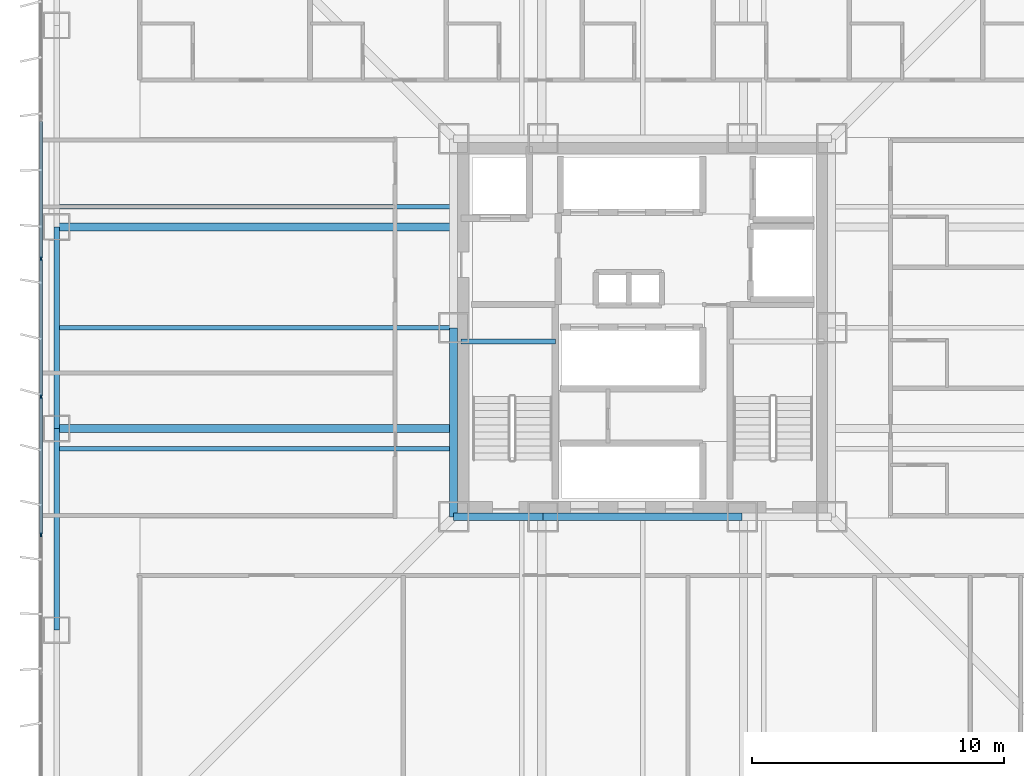
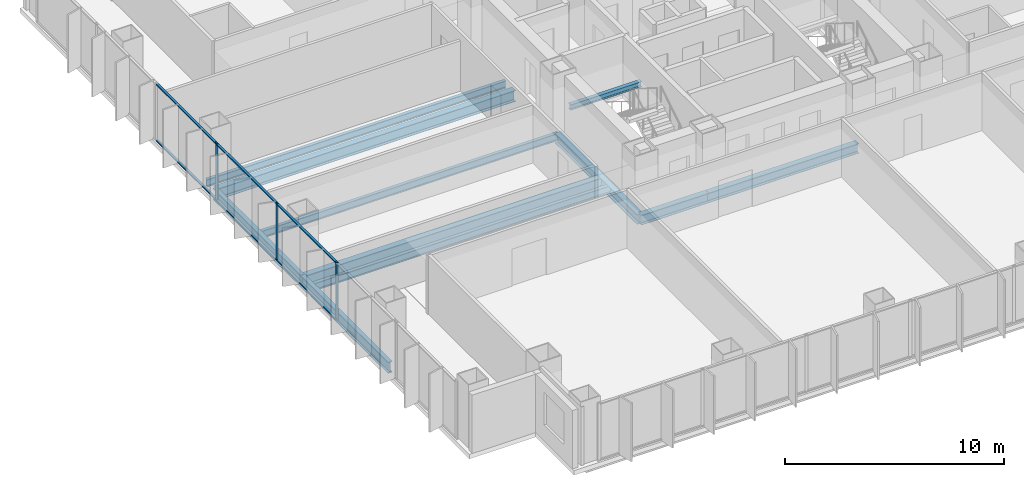
# One storey, part 4 of 17: 11 beams, 9 members, 1 element without a shape of its own.
"""IFC4 building model written with IfcOpenShell, lengths in metres."""

from ifc_helpers import new_model, si_unit, direction, frame, origin, origin_2d, place, context, subcontext, project, spatial, rectangle, i_section, extrude, material, layer, layer_set, material_profile, profile_set, type_object, element, aggregate, save


model = new_model("IFC4")

# Units and contexts
model_context = context("Model", 3, precision=1e-05, world=origin(), true_north=direction((0.0, 1.0)))
body_context = subcontext(model_context, "Body", "Model", "MODEL_VIEW")
ifc_project = project(units=[si_unit("LENGTHUNIT", "METRE"), si_unit("AREAUNIT", "SQUARE_METRE"), si_unit("VOLUMEUNIT", "CUBIC_METRE"), si_unit("PLANEANGLEUNIT", "RADIAN"), si_unit("MASSUNIT", "GRAM", prefix="KILO")], contexts=[model_context])

# Site, building, storey
site_placement = place(None, origin())
site = spatial("IfcSite", under=ifc_project, at=site_placement, CompositionType="ELEMENT")
building_placement = place(site_placement, origin())
building = spatial("IfcBuilding", under=site, at=building_placement, Name="Trevonay Congress Spire", CompositionType="ELEMENT")
storey_placement = place(building_placement, frame((0.0, 0.0, 69.0)))
storey = spatial("IfcBuildingStorey", under=building, at=storey_placement, Name="L17", CompositionType="ELEMENT", Elevation=69.0)

# Beams
ifc_material_1 = material(Name="Steel ASTM A572 Grade 50", Category="steel")
ifc_material_profile_1 = material_profile(ifc_material_1, i_section(OverallWidth=0.31201171875, OverallDepth=0.54296875, WebThickness=0.0126953125, FlangeThickness=0.020263671875, FilletRadius=0.014892578125, at=origin_2d()), Name="W530x150")
ifc_profile_set_1 = profile_set([ifc_material_profile_1], Name="Steel ASTM A572 Grade 50")
beam_type_1 = type_object("IfcBeamType", Name="BM-GIRD-W530X150", PredefinedType="BEAM", material=ifc_profile_set_1)
beam_1_placement = place(storey_placement, frame((-7.5, -7.5, -0.521484375), z_axis=(1.0, 0.0, 0.0), x_axis=(0.0, 1.0, 0.0)))
element("IfcBeam", 1, at=beam_1_placement, inside=storey, type_object=beam_type_1, Name="L17 structural beam BM-L17-CR-S1", PredefinedType="BEAM", context=body_context, shape_type="SweptSolid", body=[
    extrude(i_section(OverallWidth=0.31201171875, OverallDepth=0.54296875, WebThickness=0.0126953125, FlangeThickness=0.020263671875, FilletRadius=0.014892578125, at=origin_2d()), origin(), (0.0, 0.0, 1.0), 3.550048828125),
])
beam_2_placement = place(storey_placement, frame((-3.949951171875, -7.5, -0.521484375), z_axis=(1.0, 0.0, 0.0), x_axis=(0.0, 1.0, 0.0)))
element("IfcBeam", 2, at=beam_2_placement, inside=storey, type_object=beam_type_1, Name="L17 structural beam BM-L17-CR-S2", PredefinedType="BEAM", context=body_context, shape_type="SweptSolid", body=[
    extrude(i_section(OverallWidth=0.31201171875, OverallDepth=0.54296875, WebThickness=0.0126953125, FlangeThickness=0.020263671875, FilletRadius=0.014892578125, at=origin_2d()), origin(), (0.0, 0.0, 1.0), 7.89990234375),
])
beam_3_placement = place(storey_placement, frame((-7.5, -7.5, -0.521484375), z_axis=(0.0, 1.0, 0.0), x_axis=(-1.0, 0.0, 0.0)))
element("IfcBeam", 3, at=beam_3_placement, inside=storey, type_object=beam_type_1, Name="L17 structural beam BM-L17-CR-W1", PredefinedType="BEAM", context=body_context, shape_type="SweptSolid", body=[
    extrude(i_section(OverallWidth=0.31201171875, OverallDepth=0.54296875, WebThickness=0.0126953125, FlangeThickness=0.020263671875, FilletRadius=0.014892578125, at=origin_2d()), origin(), (0.0, 0.0, 1.0), 7.5),
])
ifc_material_profile_2 = material_profile(ifc_material_1, i_section(OverallWidth=0.324951171875, OverallDepth=0.615966796875, WebThickness=0.013916015625, FlangeThickness=0.021484375, FilletRadius=0.01806640625, at=origin_2d()), Name="W610x174")
ifc_profile_set_2 = profile_set([ifc_material_profile_2], Name="Steel ASTM A572 Grade 50")
beam_type_2 = type_object("IfcBeamType", Name="BM-GIRD-W610X174", PredefinedType="BEAM", material=ifc_profile_set_2)
for number, where, z_axis, x_axis, name in (
    (4, (-7.5, -4.0, -0.55810546875), (-1.0, 0.0, 0.0), (0.0, -1.0, 0.0), "L17 structural beam BM-L17-GW-M"),
    (5, (-7.5, 4.0, -0.55810546875), (-1.0, 0.0, 0.0), (0.0, -1.0, 0.0), "L17 structural beam BM-L17-GW-P"),
):
    element("IfcBeam", number, at=place(storey_placement, frame(where, z_axis=z_axis, x_axis=x_axis)), inside=storey, type_object=beam_type_2, Name=name, PredefinedType="BEAM", context=body_context, shape_type="SweptSolid", body=[
        extrude(i_section(OverallWidth=0.324951171875, OverallDepth=0.615966796875, WebThickness=0.013916015625, FlangeThickness=0.021484375, FilletRadius=0.01806640625, at=origin_2d()), origin(), (0.0, 0.0, 1.0), 15.75),
    ])
ifc_material_profile_3 = material_profile(ifc_material_1, i_section(OverallWidth=0.22998046875, OverallDepth=0.616943359375, WebThickness=0.01318359375, FlangeThickness=0.022216796875, FilletRadius=0.01611328125, at=origin_2d()), Name="W610x140")
ifc_profile_set_3 = profile_set([ifc_material_profile_3], Name="Steel ASTM A572 Grade 50")
beam_type_3 = type_object("IfcBeamType", Name="BM-RING-W610X140", PredefinedType="BEAM", material=ifc_profile_set_3)
for number, where, z_axis, x_axis, name in (
    (6, (-23.25, -12.0, -0.55859375), (0.0, 1.0, 0.0), (-1.0, 0.0, 0.0), "L17 structural beam BM-L17-PW2"),
    (7, (-23.25, -4.0, -0.55859375), (0.0, 1.0, 0.0), (-1.0, 0.0, 0.0), "L17 structural beam BM-L17-PW3"),
):
    element("IfcBeam", number, at=place(storey_placement, frame(where, z_axis=z_axis, x_axis=x_axis)), inside=storey, type_object=beam_type_3, Name=name, PredefinedType="BEAM", context=body_context, shape_type="SweptSolid", body=[
        extrude(i_section(OverallWidth=0.22998046875, OverallDepth=0.616943359375, WebThickness=0.01318359375, FlangeThickness=0.022216796875, FilletRadius=0.01611328125, at=origin_2d()), origin(), (0.0, 0.0, 1.0), 8.0),
    ])

# Curtain wall, members
ifc_material_2 = material(Name="Pale Anodised Aluminium EN AW-6063-T6", Category="aluminium")
ifc_layer = layer(ifc_material_2, 0.179931640625, Name="Pale Anodised Aluminium EN AW-6063-T6")
ifc_layer_set = layer_set([ifc_layer], Name="Pale Anodised Aluminium EN AW-6063-T6")
curtain_wall_type = type_object("IfcCurtainWallType", Name="CW-SYS02-HOTEL-PALE-METAL", PredefinedType="NOTDEFINED", material=ifc_layer_set)
curtain_wall_placement = place(storey_placement, origin())
curtain_wall = element("IfcCurtainWall", 8, at=curtain_wall_placement, inside=storey, type_object=curtain_wall_type, Name="L17 W unitised curtain wall", PredefinedType="NOTDEFINED")
ifc_material_profile_4 = material_profile(ifc_material_2, rectangle(XDim=0.06005859375, YDim=0.159912109375, at=origin_2d()), Name="CW-MULLION-160-ALUMINIUM")
ifc_profile_set_4 = profile_set([ifc_material_profile_4], Name="Pale Anodised Aluminium EN AW-6063-T6")
member_type_1 = type_object("IfcMemberType", Name="CW-MULLION-160-ALUMINIUM", PredefinedType="MULLION", material=ifc_profile_set_4)
member_1_placement = place(storey_placement, frame((-23.8798828125, -8.20703125, 0.0), z_axis=(0.0, 0.0, 1.0), x_axis=(-1.0, 0.0, 0.0)))
member_1 = element("IfcMember", 9, at=member_1_placement, type_object=member_type_1, Name="CW02 mullion 3", PredefinedType="MULLION", context=body_context, shape_type="SweptSolid", body=[
    extrude(rectangle(XDim=0.06005859375, YDim=0.159912109375, at=origin_2d()), origin(), (0.0, 0.0, 1.0), 3.25),
])
member_2_placement = place(storey_placement, frame((-23.8798828125, -2.735595703125, 0.0), z_axis=(0.0, 0.0, 1.0), x_axis=(-1.0, 0.0, 0.0)))
member_2 = element("IfcMember", 10, at=member_2_placement, type_object=member_type_1, Name="CW02 mullion 4", PredefinedType="MULLION", context=body_context, shape_type="SweptSolid", body=[
    extrude(rectangle(XDim=0.06005859375, YDim=0.159912109375, at=origin_2d()), origin(), (0.0, 0.0, 1.0), 3.25),
])
member_3_placement = place(storey_placement, frame((-23.8798828125, 2.735595703125, 0.0), z_axis=(0.0, 0.0, 1.0), x_axis=(-1.0, 0.0, 0.0)))
member_3 = element("IfcMember", 11, at=member_3_placement, type_object=member_type_1, Name="CW02 mullion 5", PredefinedType="MULLION", context=body_context, shape_type="SweptSolid", body=[
    extrude(rectangle(XDim=0.06005859375, YDim=0.159912109375, at=origin_2d()), origin(), (0.0, 0.0, 1.0), 3.25),
])
ifc_material_profile_5 = material_profile(ifc_material_2, rectangle(XDim=0.1201171875, YDim=0.06005859375, at=origin_2d()), Name="CW-TRANSOM-120-ALUMINIUM")
ifc_profile_set_5 = profile_set([ifc_material_profile_5], Name="Pale Anodised Aluminium EN AW-6063-T6")
member_type_2 = type_object("IfcMemberType", Name="CW-TRANSOM-120-ALUMINIUM", PredefinedType="USERDEFINED", material=ifc_profile_set_5)
member_4_placement = place(storey_placement, frame((-23.8798828125, -8.17724609375, 0.06005859375), z_axis=(0.0, 1.0, 0.0), x_axis=(-1.0, 0.0, 0.0)))
member_4 = element("IfcMember", 12, at=member_4_placement, type_object=member_type_2, Name="CW02 transom 3.1", ObjectType="TRANSOM", PredefinedType="USERDEFINED", context=body_context, shape_type="SweptSolid", body=[
    extrude(rectangle(XDim=0.1201171875, YDim=0.06005859375, at=origin_2d()), origin(), (0.0, 0.0, 1.0), 5.41162109375),
])
member_5_placement = place(storey_placement, frame((-23.8798828125, -8.17724609375, 3.18994140625), z_axis=(0.0, 1.0, 0.0), x_axis=(-1.0, 0.0, 0.0)))
member_5 = element("IfcMember", 13, at=member_5_placement, type_object=member_type_2, Name="CW02 transom 3.2", ObjectType="TRANSOM", PredefinedType="USERDEFINED", context=body_context, shape_type="SweptSolid", body=[
    extrude(rectangle(XDim=0.1201171875, YDim=0.06005859375, at=origin_2d()), origin(), (0.0, 0.0, 1.0), 5.41162109375),
])
member_6_placement = place(storey_placement, frame((-23.8798828125, -2.705810546875, 0.06005859375), z_axis=(0.0, 1.0, 0.0), x_axis=(-1.0, 0.0, 0.0)))
member_6 = element("IfcMember", 14, at=member_6_placement, type_object=member_type_2, Name="CW02 transom 4.1", ObjectType="TRANSOM", PredefinedType="USERDEFINED", context=body_context, shape_type="SweptSolid", body=[
    extrude(rectangle(XDim=0.1201171875, YDim=0.06005859375, at=origin_2d()), origin(), (0.0, 0.0, 1.0), 5.41162109375),
])
member_7_placement = place(storey_placement, frame((-23.8798828125, -2.705810546875, 3.18994140625), z_axis=(0.0, 1.0, 0.0), x_axis=(-1.0, 0.0, 0.0)))
member_7 = element("IfcMember", 15, at=member_7_placement, type_object=member_type_2, Name="CW02 transom 4.2", ObjectType="TRANSOM", PredefinedType="USERDEFINED", context=body_context, shape_type="SweptSolid", body=[
    extrude(rectangle(XDim=0.1201171875, YDim=0.06005859375, at=origin_2d()), origin(), (0.0, 0.0, 1.0), 5.41162109375),
])
member_8_placement = place(storey_placement, frame((-23.8798828125, 2.765625, 0.06005859375), z_axis=(0.0, 1.0, 0.0), x_axis=(-1.0, 0.0, 0.0)))
member_8 = element("IfcMember", 16, at=member_8_placement, type_object=member_type_2, Name="CW02 transom 5.1", ObjectType="TRANSOM", PredefinedType="USERDEFINED", context=body_context, shape_type="SweptSolid", body=[
    extrude(rectangle(XDim=0.1201171875, YDim=0.06005859375, at=origin_2d()), origin(), (0.0, 0.0, 1.0), 5.41162109375),
])
member_9_placement = place(storey_placement, frame((-23.8798828125, 2.765625, 3.18994140625), z_axis=(0.0, 1.0, 0.0), x_axis=(-1.0, 0.0, 0.0)))
member_9 = element("IfcMember", 17, at=member_9_placement, type_object=member_type_2, Name="CW02 transom 5.2", ObjectType="TRANSOM", PredefinedType="USERDEFINED", context=body_context, shape_type="SweptSolid", body=[
    extrude(rectangle(XDim=0.1201171875, YDim=0.06005859375, at=origin_2d()), origin(), (0.0, 0.0, 1.0), 5.41162109375),
])
aggregate(curtain_wall, [member_1, member_2, member_3, member_4, member_5, member_6, member_7, member_8, member_9])

# Beams
ifc_material_profile_6 = material_profile(ifc_material_1, i_section(OverallWidth=0.177978515625, OverallDepth=0.406982421875, WebThickness=0.0078125, FlangeThickness=0.0126953125, FilletRadius=0.012939453125, at=origin_2d()), Name="W410x60")
ifc_profile_set_6 = profile_set([ifc_material_profile_6], Name="Steel ASTM A572 Grade 50")
beam_type_4 = type_object("IfcBeamType", Name="JS-COMP-W410X60", PredefinedType="JOIST", material=ifc_profile_set_6)
for number, where, z_axis, x_axis, name in (
    (18, (-23.25, -4.800048828125, -0.45361328125), (1.0, 0.0, 0.0), (0.0, 1.0, 0.0), "L17 structural beam JS-L17-EW-W1"),
    (19, (-23.25, 0.0, -0.45361328125), (1.0, 0.0, 0.0), (0.0, 1.0, 0.0), "L17 structural beam JS-L17-EW-W2"),
    (20, (-23.25, 4.800048828125, -0.45361328125), (1.0, 0.0, 0.0), (0.0, 1.0, 0.0), "L17 structural beam JS-L17-EW-W3"),
):
    element("IfcBeam", number, at=place(storey_placement, frame(where, z_axis=z_axis, x_axis=x_axis)), inside=storey, type_object=beam_type_4, Name=name, PredefinedType="JOIST", context=body_context, shape_type="SweptSolid", body=[
        extrude(i_section(OverallWidth=0.177978515625, OverallDepth=0.406982421875, WebThickness=0.0078125, FlangeThickness=0.0126953125, FilletRadius=0.012939453125, at=origin_2d()), origin(), (0.0, 0.0, 1.0), 15.75),
    ])
ifc_material_profile_7 = material_profile(ifc_material_1, i_section(OverallWidth=0.2041015625, OverallDepth=0.305908203125, WebThickness=0.008544921875, FlangeThickness=0.0146484375, FilletRadius=0.010986328125, at=origin_2d()), Name="W310x67")
ifc_profile_set_7 = profile_set([ifc_material_profile_7], Name="Steel ASTM A572 Grade 50")
beam_type_5 = type_object("IfcBeamType", Name="LN-CORE-W310X67", PredefinedType="LINTEL", material=ifc_profile_set_7)
beam_4_placement = place(storey_placement, frame((-7.199951171875, -0.550048828125, 1.39697265625), z_axis=(1.0, 0.0, 0.0), x_axis=(0.0, 1.0, 0.0)))
element("IfcBeam", 21, at=beam_4_placement, inside=storey, type_object=beam_type_5, Name="L17 structural beam BM-L17-HL-ST1", PredefinedType="LINTEL", context=body_context, shape_type="SweptSolid", body=[
    extrude(i_section(OverallWidth=0.2041015625, OverallDepth=0.305908203125, WebThickness=0.008544921875, FlangeThickness=0.0146484375, FilletRadius=0.010986328125, at=origin_2d()), origin(), (0.0, 0.0, 1.0), 3.75),
])

save(model, "model.ifc")
